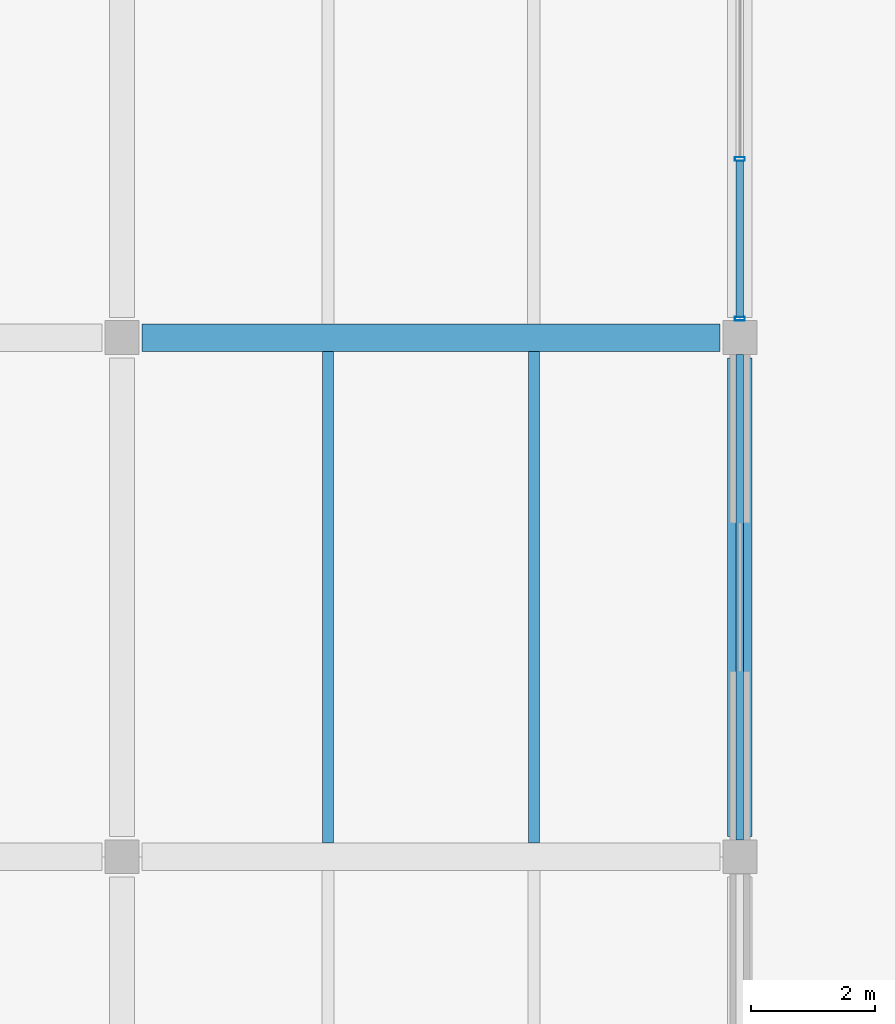
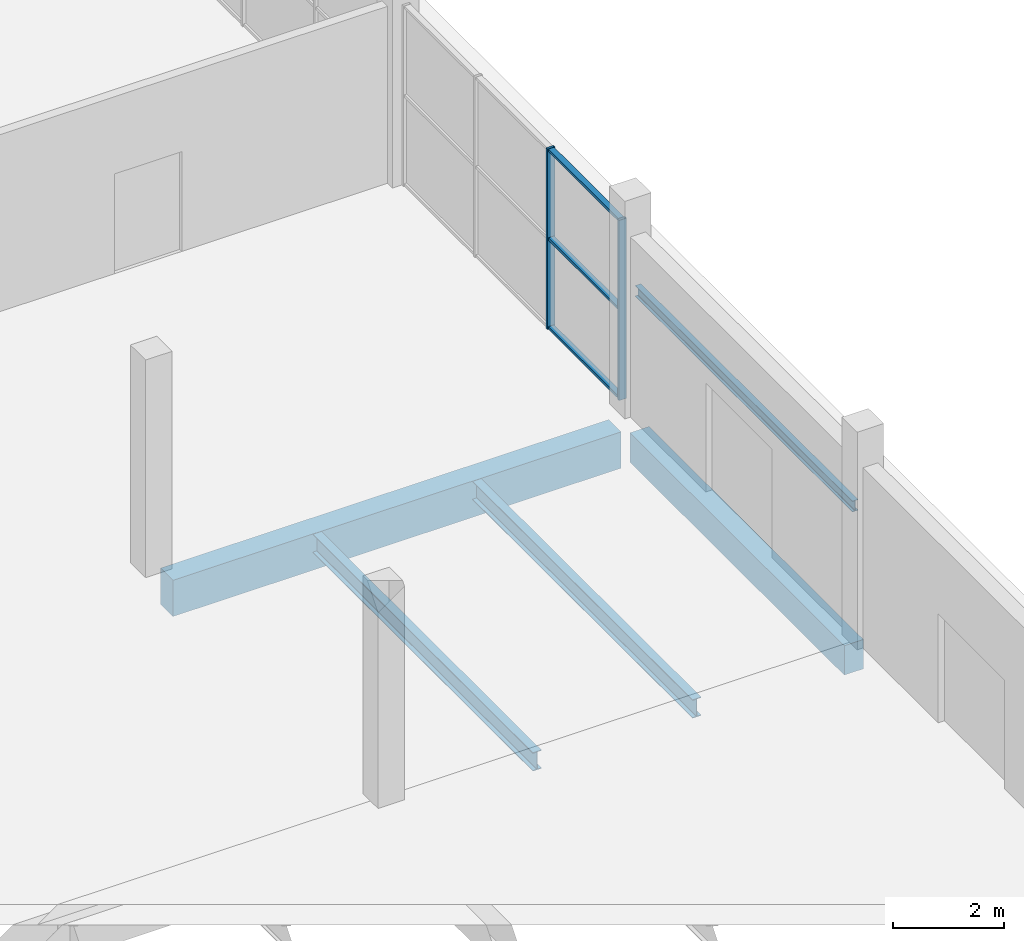
# One storey, part 78 of 130: 5 beams, 5 members, 1 element without a shape of its own.
"""IFC4 building model written with IfcOpenShell, lengths in metres."""

import ifcopenshell
import ifcopenshell.guid

model = None  # the IFC model being written
_history = None  # IfcOwnerHistory: only IFC2X3 demands one
_inside = {}  # id of a spatial element -> (the spatial element, [elements in it])
_under = {}  # id of a project, library or spatial element -> (it, [spatial elements below it])
_declared = {}  # id of a project -> (the project, [libraries it declares])
_typed = {}  # id of a type object -> (the type object, [elements of that type])
_made_of = {}  # id of a material, layer set ... -> (it, [elements and type objects made of it])


def new_model(schema):
    """Start an empty IFC model of exactly this schema.

    Asked for "IFC4X3", IfcOpenShell would pick the latest addendum, in which some entities
    have other attributes; the version numbers below select the first issue.
    IFC2X3 requires an IfcOwnerHistory on every rooted entity: one is made here for all.
    """
    global model, _history
    if schema == "IFC4X3":
        model = ifcopenshell.file(schema_version=(4, 3, 0, 0))
    else:
        model = ifcopenshell.file(schema=schema)
    _inside.clear()
    _under.clear()
    _declared.clear()
    _typed.clear()
    _made_of.clear()
    _history = None
    if model.schema == "IFC2X3":
        org = make("IfcOrganization", Name="unknown")
        user = make(
            "IfcPersonAndOrganization",
            ThePerson=make("IfcPerson", FamilyName="unknown"),
            TheOrganization=org,
        )
        app = make(
            "IfcApplication",
            ApplicationDeveloper=org,
            Version="unknown",
            ApplicationFullName="unknown",
            ApplicationIdentifier="unknown",
        )
        _history = make(
            "IfcOwnerHistory",
            OwningUser=user,
            OwningApplication=app,
            ChangeAction="ADDED",
            CreationDate=0,
        )
    return model


def make(cls, **values):
    """One entity of the class cls with the attributes given. An attribute that is None is left unset."""
    return model.create_entity(
        cls, **{name: value for name, value in values.items() if value is not None}
    )


def rooted(cls, **values):
    """An entity with a GlobalId (a new one), such as an element, a storey or a relation."""
    return make(cls, GlobalId=ifcopenshell.guid.new(), OwnerHistory=_history, **values)


def si_unit(unit_type, name, prefix=None):
    """IfcSIUnit, for example si_unit("LENGTHUNIT", "METRE", prefix="MILLI")."""
    return make("IfcSIUnit", UnitType=unit_type, Prefix=prefix, Name=name)


def assignment(units):
    """IfcUnitAssignment: the units of a project."""
    return None if units is None else make("IfcUnitAssignment", Units=units)


def point(xyz):
    """IfcCartesianPoint."""
    return None if xyz is None else make("IfcCartesianPoint", Coordinates=xyz)


def direction(xyz):
    """IfcDirection."""
    return None if xyz is None else make("IfcDirection", DirectionRatios=xyz)


def frame(location, z_axis=None, x_axis=None):
    """IfcAxis2Placement3D, a coordinate frame: its origin and axes. An axis left out is left unset."""
    return make(
        "IfcAxis2Placement3D",
        Location=point(location),
        Axis=direction(z_axis),
        RefDirection=direction(x_axis),
    )


def frame_2d(location, x_axis=None):
    """IfcAxis2Placement2D, a coordinate frame in the plane: its origin and x axis."""
    return make(
        "IfcAxis2Placement2D", Location=point(location), RefDirection=direction(x_axis)
    )


def origin():
    """The frame at (0, 0, 0) with its axes left unset."""
    return frame((0.0, 0.0, 0.0))


def origin_2d():
    """The frame at (0, 0) in the plane with its x axis left unset."""
    return frame_2d((0.0, 0.0))


def place(relative_to, where):
    """IfcLocalPlacement: puts the frame where relative to a parent placement (None: the world)."""
    return make(
        "IfcLocalPlacement", PlacementRelTo=relative_to, RelativePlacement=where
    )


def context(
    kind, dimensions, precision=None, world=None, true_north=None, identifier=None
):
    """IfcGeometricRepresentationContext, for example the 3D "Model" context."""
    return make(
        "IfcGeometricRepresentationContext",
        ContextIdentifier=identifier,
        ContextType=kind,
        CoordinateSpaceDimension=dimensions,
        Precision=precision,
        WorldCoordinateSystem=world,
        TrueNorth=true_north,
    )


def subcontext(parent, identifier, kind, view, scale=None):
    """IfcGeometricRepresentationSubContext, for example "Body" below "Model"."""
    return make(
        "IfcGeometricRepresentationSubContext",
        ContextIdentifier=identifier,
        ContextType=kind,
        ParentContext=parent,
        TargetScale=scale,
        TargetView=view,
    )


def project(units=None, contexts=None):
    """IfcProject with its units and contexts."""
    return rooted(
        "IfcProject",
        Name="project",
        RepresentationContexts=contexts,
        UnitsInContext=assignment(units),
    )


def spatial(cls, under=None, at=None, **own):
    """A site, building, storey or space (cls), placed at a placement, below another one or the project."""
    s = rooted(cls, ObjectPlacement=at, **own)
    if under is not None:
        _under.setdefault(under.id(), (under, []))[1].append(s)
    return s


def profile(cls, at=None, kind="AREA", **sizes):
    """A parametric profile (cls). Its sizes go by their IFC names, for example OverallWidth=200.0."""
    return make(cls, ProfileType=kind, Position=at, **sizes)


def rectangle(**sizes):
    """IfcRectangleProfileDef."""
    return profile("IfcRectangleProfileDef", **sizes)


def hollow_rectangle(**sizes):
    """IfcRectangleHollowProfileDef."""
    return profile("IfcRectangleHollowProfileDef", **sizes)


def i_section(**sizes):
    """IfcIShapeProfileDef."""
    return profile("IfcIShapeProfileDef", **sizes)


def extrude(swept, where, along, depth):
    """IfcExtrudedAreaSolid: the profile swept, set in the frame where, extruded along a direction by depth."""
    return make(
        "IfcExtrudedAreaSolid",
        SweptArea=swept,
        Position=where,
        ExtrudedDirection=direction(along),
        Depth=depth,
    )


def shape(context_of_items, identifier, shape_type, items):
    """IfcShapeRepresentation: the items that make up one representation, for example the "Body"."""
    return make(
        "IfcShapeRepresentation",
        ContextOfItems=context_of_items,
        RepresentationIdentifier=identifier,
        RepresentationType=shape_type,
        Items=items,
    )


def material(Name=None, Category=None):
    """IfcMaterial."""
    return make("IfcMaterial", Name=Name, Category=Category)


def material_profile(
    of_material, cross_section, Name=None, Category=None, Priority=None
):
    """IfcMaterialProfile: a cross section and its material."""
    return make(
        "IfcMaterialProfile",
        Name=Name,
        Material=of_material,
        Profile=cross_section,
        Priority=Priority,
        Category=Category,
    )


def profile_set(profiles, Name=None, composite=None):
    """IfcMaterialProfileSet."""
    return make(
        "IfcMaterialProfileSet",
        Name=Name,
        MaterialProfiles=profiles,
        CompositeProfile=composite,
    )


def made_of(thing, what):
    """Note that an element or type object is made of a material, layer set ...; save() writes the relation."""
    if what is not None:
        _made_of.setdefault(what.id(), (what, []))[1].append(thing)
    return thing


def type_object(cls, material=None, **own):
    """A type object (cls), such as IfcWallType, which elements share."""
    return made_of(rooted(cls, **own), material)


def element(
    cls,
    number,
    at=None,
    inside=None,
    cuts=None,
    type_object=None,
    material=None,
    context=None,
    identifier="Body",
    shape_type=None,
    held_by="IfcProductDefinitionShape",
    body=None,
    shapes=None,
    **own,
):
    """One element of the class cls, such as IfcWall. Its Tag is "e" and its number.

    at: its placement. inside: the storey or other place that contains it. cuts: it is an
    opening in that element (IfcRelVoidsElement). A single representation is given by context,
    identifier, shape_type and body (its items); several are given by shapes. held_by: the class
    of the entity that holds the representations. save() writes the other relations.
    """
    e = rooted(cls, Tag="e%d" % number, ObjectPlacement=at, **own)
    if body is not None:
        shapes = [shape(context, identifier, shape_type, body)]
    if shapes is not None:
        e.Representation = make(held_by, Representations=shapes)
    if inside is not None:
        _inside.setdefault(inside.id(), (inside, []))[1].append(e)
    if cuts is not None:
        rooted(
            "IfcRelVoidsElement", RelatingBuildingElement=cuts, RelatedOpeningElement=e
        )
    if type_object is not None:
        _typed.setdefault(type_object.id(), (type_object, []))[1].append(e)
    return made_of(e, material)


def aggregate(whole, parts):
    """IfcRelAggregates: a whole, such as a stair, and the parts it consists of."""
    return rooted("IfcRelAggregates", RelatingObject=whole, RelatedObjects=parts)


def save(model, path):
    """Write the relations noted so far, then the file.

    IfcRelAggregates (storeys below a building ...), IfcRelContainedInSpatialStructure (elements
    in a storey), IfcRelDefinesByType, IfcRelAssociatesMaterial and IfcRelDeclares: one each for
    every whole, place, type object, material and project.
    """
    for whole, parts in _under.values():
        aggregate(whole, parts)
    for where, things in _inside.values():
        rooted(
            "IfcRelContainedInSpatialStructure",
            RelatedElements=things,
            RelatingStructure=where,
        )
    for kind, things in _typed.values():
        rooted("IfcRelDefinesByType", RelatedObjects=things, RelatingType=kind)
    for what, things in _made_of.values():
        rooted("IfcRelAssociatesMaterial", RelatedObjects=things, RelatingMaterial=what)
    for by, libraries in _declared.values():
        rooted("IfcRelDeclares", RelatingContext=by, RelatedDefinitions=libraries)
    model.write(path)


model = new_model("IFC4")

# Units and contexts
model_context = context("Model", 3, precision=1e-05, world=origin(), true_north=direction((0.0, 1.0)))
body_context = subcontext(model_context, "Body", "Model", "MODEL_VIEW")
ifc_project = project(units=[si_unit("LENGTHUNIT", "METRE"), si_unit("AREAUNIT", "SQUARE_METRE"), si_unit("VOLUMEUNIT", "CUBIC_METRE"), si_unit("PLANEANGLEUNIT", "RADIAN"), si_unit("MASSUNIT", "GRAM", prefix="KILO"), si_unit("THERMODYNAMICTEMPERATUREUNIT", "KELVIN")], contexts=[model_context])

# Site, building, storey
site_placement = place(None, origin())
site = spatial("IfcSite", under=ifc_project, at=site_placement, CompositionType="ELEMENT")
building_placement = place(site_placement, origin())
building = spatial("IfcBuilding", under=site, at=building_placement, Name="Nduvali Passage Aquatics Centre", CompositionType="ELEMENT")
storey_placement = place(building_placement, origin())
storey = spatial("IfcBuildingStorey", under=building, at=storey_placement, Name="L00", CompositionType="ELEMENT", Elevation=0.0)

# Curtain wall, members
ifc_material_1 = material(Name="Aluminium EN AW-6063 T6", Category="aluminium")
curtain_wall_type = type_object("IfcCurtainWallType", Name="ENV-CW-FOYR", PredefinedType="NOTDEFINED", material=ifc_material_1)
curtain_wall_placement = place(storey_placement, origin())
curtain_wall = element("IfcCurtainWall", 1, at=curtain_wall_placement, inside=storey, type_object=curtain_wall_type, Name="L00 East Avenue Entrance Ground CW 087", PredefinedType="NOTDEFINED")
ifc_material_profile_1 = material_profile(ifc_material_1, hollow_rectangle(XDim=0.06005859375, YDim=0.159912109375, WallThickness=0.00390625, at=origin_2d()), Name="ALU MULLION 60x160x4")
ifc_profile_set_1 = profile_set([ifc_material_profile_1], Name="Aluminium EN AW-6063 T6")
member_type_1 = type_object("IfcMemberType", Name="ENV-MEM-MUL60", PredefinedType="MULLION", material=ifc_profile_set_1)
member_1_placement = place(storey_placement, frame((168.0, 67.5048828125, 0.0), z_axis=(0.0, 0.0, 1.0), x_axis=(0.0, 1.0, 0.0)))
member_1 = element("IfcMember", 2, at=member_1_placement, type_object=member_type_1, Name="East Avenue Entrance Ground CW Mullion 1", PredefinedType="MULLION", context=body_context, shape_type="SweptSolid", body=[
    extrude(hollow_rectangle(XDim=0.06005859375, YDim=0.159912109375, WallThickness=0.00390625, at=origin_2d()), origin(), (0.0, 0.0, 1.0), 3.976318359375),
])
member_2_placement = place(storey_placement, frame((168.0, 70.091796875, 0.0), z_axis=(0.0, 0.0, 1.0), x_axis=(0.0, 1.0, 0.0)))
member_2 = element("IfcMember", 3, at=member_2_placement, type_object=member_type_1, Name="East Avenue Entrance Ground CW Mullion 2", PredefinedType="MULLION", context=body_context, shape_type="SweptSolid", body=[
    extrude(hollow_rectangle(XDim=0.06005859375, YDim=0.159912109375, WallThickness=0.00390625, at=origin_2d()), origin(), (0.0, 0.0, 1.0), 3.976318359375),
])
ifc_material_profile_2 = material_profile(ifc_material_1, hollow_rectangle(XDim=0.1201171875, YDim=0.06005859375, WallThickness=0.00390625, at=origin_2d()), Name="ALU TRANSOM 120x60x4")
ifc_profile_set_2 = profile_set([ifc_material_profile_2], Name="Aluminium EN AW-6063 T6")
member_type_2 = type_object("IfcMemberType", Name="ENV-MEM-TRN60", PredefinedType="USERDEFINED", material=ifc_profile_set_2)
member_3_placement = place(storey_placement, frame((168.0, 67.534912109375, 0.030029296875), z_axis=(0.0, 1.0, 0.0), x_axis=(-1.0, 0.0, 0.0)))
member_3 = element("IfcMember", 4, at=member_3_placement, type_object=member_type_2, Name="East Avenue Entrance Ground CW Transom B1-R0", ObjectType="TRANSOM", PredefinedType="USERDEFINED", context=body_context, shape_type="SweptSolid", body=[
    extrude(hollow_rectangle(XDim=0.1201171875, YDim=0.06005859375, WallThickness=0.00390625, at=origin_2d()), origin(), (0.0, 0.0, 1.0), 2.52685546875),
])
member_4_placement = place(storey_placement, frame((168.0, 67.534912109375, 1.98828125), z_axis=(0.0, 1.0, 0.0), x_axis=(-1.0, 0.0, 0.0)))
member_4 = element("IfcMember", 5, at=member_4_placement, type_object=member_type_2, Name="East Avenue Entrance Ground CW Transom B1-R1", ObjectType="TRANSOM", PredefinedType="USERDEFINED", context=body_context, shape_type="SweptSolid", body=[
    extrude(hollow_rectangle(XDim=0.1201171875, YDim=0.06005859375, WallThickness=0.00390625, at=origin_2d()), origin(), (0.0, 0.0, 1.0), 2.52685546875),
])
member_5_placement = place(storey_placement, frame((168.0, 67.534912109375, 3.9462890625), z_axis=(0.0, 1.0, 0.0), x_axis=(-1.0, 0.0, 0.0)))
member_5 = element("IfcMember", 6, at=member_5_placement, type_object=member_type_2, Name="East Avenue Entrance Ground CW Transom B1-R2", ObjectType="TRANSOM", PredefinedType="USERDEFINED", context=body_context, shape_type="SweptSolid", body=[
    extrude(hollow_rectangle(XDim=0.1201171875, YDim=0.06005859375, WallThickness=0.00390625, at=origin_2d()), origin(), (0.0, 0.0, 1.0), 2.52685546875),
])
aggregate(curtain_wall, [member_1, member_2, member_3, member_4, member_5])

# Beams
ifc_material_2 = material(Name="Concrete C40/50", Category="concrete")
ifc_material_profile_3 = material_profile(ifc_material_2, rectangle(XDim=0.449951171875, YDim=0.800048828125, at=origin_2d()), Name="RC 450x800")
ifc_profile_set_3 = profile_set([ifc_material_profile_3], Name="Concrete C40/50")
beam_type_1 = type_object("IfcBeamType", Name="STR-BM-RC4580", PredefinedType="BEAM", material=ifc_profile_set_3)
beam_1_placement = place(storey_placement, frame((158.324951171875, 67.199951171875, -0.699951171875), z_axis=(1.0, 0.0, 0.0), x_axis=(0.0, 1.0, 0.0)))
element("IfcBeam", 7, at=beam_1_placement, inside=storey, type_object=beam_type_1, Name="L00 Primary X-Girder B2A-0061", PredefinedType="BEAM", context=body_context, shape_type="SweptSolid", body=[
    extrude(rectangle(XDim=0.449951171875, YDim=0.800048828125, at=origin_2d()), origin(), (0.0, 0.0, 1.0), 9.35009765625),
])
ifc_material_3 = material(Name="Steel S355", Category="steel")
ifc_material_profile_4 = material_profile(ifc_material_3, i_section(OverallWidth=0.1787109375, OverallDepth=0.409423828125, WebThickness=0.0087890625, FlangeThickness=0.014404296875, FilletRadius=0.01025390625, at=origin_2d()), Name="UKB 406x178x67")
ifc_profile_set_4 = profile_set([ifc_material_profile_4], Name="Steel S355")
beam_type_2 = type_object("IfcBeamType", Name="STR-JST-UKB406", PredefinedType="JOIST", material=ifc_profile_set_4)
for number, where, z_axis, x_axis, name in (
    (8, (161.333251953125, 59.02490234375, -0.5087890625), (0.0, 1.0, 0.0), (-1.0, 0.0, 0.0), "L00 Secondary Joist J1-0351"),
    (9, (164.666748046875, 59.02490234375, -0.5087890625), (0.0, 1.0, 0.0), (-1.0, 0.0, 0.0), "L00 Secondary Joist J1-0352"),
):
    element("IfcBeam", number, at=place(storey_placement, frame(where, z_axis=z_axis, x_axis=x_axis)), inside=storey, type_object=beam_type_2, Name=name, PredefinedType="JOIST", context=body_context, shape_type="SweptSolid", body=[
        extrude(i_section(OverallWidth=0.1787109375, OverallDepth=0.409423828125, WebThickness=0.0087890625, FlangeThickness=0.014404296875, FilletRadius=0.01025390625, at=origin_2d()), origin(), (0.0, 0.0, 1.0), 7.9501953125),
    ])
ifc_material_profile_5 = material_profile(ifc_material_3, i_section(OverallWidth=0.1201171875, OverallDepth=0.239990234375, WebThickness=0.006103515625, FlangeThickness=0.009765625, FilletRadius=0.014892578125, at=origin_2d()), Name="IPE 240")
ifc_profile_set_5 = profile_set([ifc_material_profile_5], Name="Steel S355")
beam_type_3 = type_object("IfcBeamType", Name="STR-LNT-IPE240-EXT", PredefinedType="LINTEL", material=ifc_profile_set_5)
beam_2_placement = place(storey_placement, frame((168.0, 59.074951171875, 2.75), z_axis=(0.0, 1.0, 0.0), x_axis=(-1.0, 0.0, 0.0)))
element("IfcBeam", 10, at=beam_2_placement, inside=storey, type_object=beam_type_3, Name="East Avenue Main Entrance Portal Lintel 2", PredefinedType="LINTEL", context=body_context, shape_type="SweptSolid", body=[
    extrude(i_section(OverallWidth=0.1201171875, OverallDepth=0.239990234375, WebThickness=0.006103515625, FlangeThickness=0.009765625, FilletRadius=0.014892578125, at=origin_2d()), origin(), (0.0, 0.0, 1.0), 7.85009765625),
])
ifc_material_profile_6 = material_profile(ifc_material_2, rectangle(XDim=0.39990234375, YDim=0.64990234375, at=origin_2d()), Name="RC 400x650")
ifc_profile_set_6 = profile_set([ifc_material_profile_6], Name="Concrete C40/50")
beam_type_4 = type_object("IfcBeamType", Name="STR-SPN-RC4065-EXT", PredefinedType="SPANDREL", material=ifc_profile_set_6)
beam_3_placement = place(storey_placement, frame((168.0, 59.125, -0.625), z_axis=(0.0, 1.0, 0.0), x_axis=(-1.0, 0.0, 0.0)))
element("IfcBeam", 11, at=beam_3_placement, inside=storey, type_object=beam_type_4, Name="L00 Primary Y-Girder SP1E-0251", PredefinedType="SPANDREL", context=body_context, shape_type="SweptSolid", body=[
    extrude(rectangle(XDim=0.39990234375, YDim=0.64990234375, at=origin_2d()), origin(), (0.0, 0.0, 1.0), 7.75),
])

save(model, "model.ifc")
